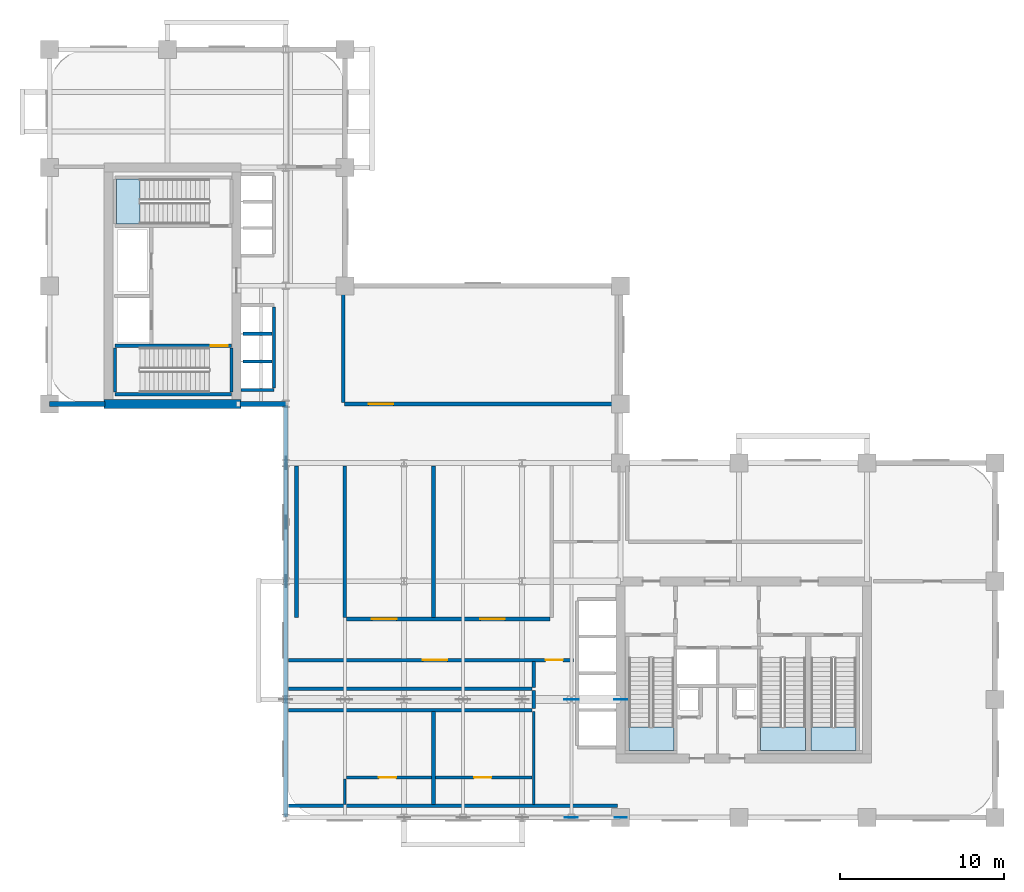
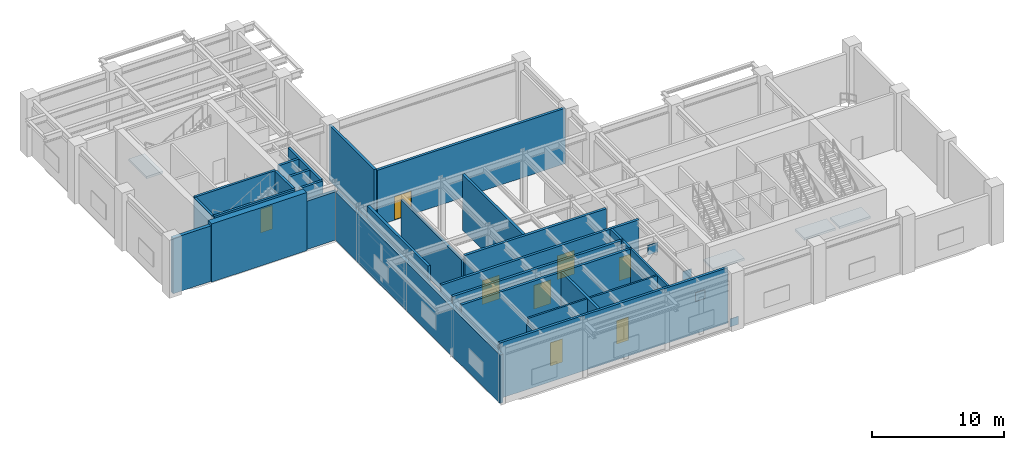
# One storey, part 6 of 12: 28 walls, 8 doors, 4 plates, 4 slabs, 8 openings, 4 elements without a shape of their own.
"""IFC4 building model written with IfcOpenShell, lengths in metres."""

import ifcopenshell
import ifcopenshell.guid

model = None  # the IFC model being written
_history = None  # IfcOwnerHistory: only IFC2X3 demands one
_inside = {}  # id of a spatial element -> (the spatial element, [elements in it])
_under = {}  # id of a project, library or spatial element -> (it, [spatial elements below it])
_declared = {}  # id of a project -> (the project, [libraries it declares])
_typed = {}  # id of a type object -> (the type object, [elements of that type])
_made_of = {}  # id of a material, layer set ... -> (it, [elements and type objects made of it])


def new_model(schema):
    """Start an empty IFC model of exactly this schema.

    Asked for "IFC4X3", IfcOpenShell would pick the latest addendum, in which some entities
    have other attributes; the version numbers below select the first issue.
    IFC2X3 requires an IfcOwnerHistory on every rooted entity: one is made here for all.
    """
    global model, _history
    if schema == "IFC4X3":
        model = ifcopenshell.file(schema_version=(4, 3, 0, 0))
    else:
        model = ifcopenshell.file(schema=schema)
    _inside.clear()
    _under.clear()
    _declared.clear()
    _typed.clear()
    _made_of.clear()
    _history = None
    if model.schema == "IFC2X3":
        org = make("IfcOrganization", Name="unknown")
        user = make(
            "IfcPersonAndOrganization",
            ThePerson=make("IfcPerson", FamilyName="unknown"),
            TheOrganization=org,
        )
        app = make(
            "IfcApplication",
            ApplicationDeveloper=org,
            Version="unknown",
            ApplicationFullName="unknown",
            ApplicationIdentifier="unknown",
        )
        _history = make(
            "IfcOwnerHistory",
            OwningUser=user,
            OwningApplication=app,
            ChangeAction="ADDED",
            CreationDate=0,
        )
    return model


def make(cls, **values):
    """One entity of the class cls with the attributes given. An attribute that is None is left unset."""
    return model.create_entity(
        cls, **{name: value for name, value in values.items() if value is not None}
    )


def rooted(cls, **values):
    """An entity with a GlobalId (a new one), such as an element, a storey or a relation."""
    return make(cls, GlobalId=ifcopenshell.guid.new(), OwnerHistory=_history, **values)


def si_unit(unit_type, name, prefix=None):
    """IfcSIUnit, for example si_unit("LENGTHUNIT", "METRE", prefix="MILLI")."""
    return make("IfcSIUnit", UnitType=unit_type, Prefix=prefix, Name=name)


def derived_unit(unit_type, elements):
    """IfcDerivedUnit: a product of units, each with its exponent."""
    return make(
        "IfcDerivedUnit",
        Elements=[
            make("IfcDerivedUnitElement", Unit=unit, Exponent=power)
            for unit, power in elements
        ],
        UnitType=unit_type,
    )


def assignment(units):
    """IfcUnitAssignment: the units of a project."""
    return None if units is None else make("IfcUnitAssignment", Units=units)


def point(xyz):
    """IfcCartesianPoint."""
    return None if xyz is None else make("IfcCartesianPoint", Coordinates=xyz)


def direction(xyz):
    """IfcDirection."""
    return None if xyz is None else make("IfcDirection", DirectionRatios=xyz)


def frame(location, z_axis=None, x_axis=None):
    """IfcAxis2Placement3D, a coordinate frame: its origin and axes. An axis left out is left unset."""
    return make(
        "IfcAxis2Placement3D",
        Location=point(location),
        Axis=direction(z_axis),
        RefDirection=direction(x_axis),
    )


def frame_2d(location, x_axis=None):
    """IfcAxis2Placement2D, a coordinate frame in the plane: its origin and x axis."""
    return make(
        "IfcAxis2Placement2D", Location=point(location), RefDirection=direction(x_axis)
    )


def origin():
    """The frame at (0, 0, 0) with its axes left unset."""
    return frame((0.0, 0.0, 0.0))


def origin_2d():
    """The frame at (0, 0) in the plane with its x axis left unset."""
    return frame_2d((0.0, 0.0))


def place(relative_to, where):
    """IfcLocalPlacement: puts the frame where relative to a parent placement (None: the world)."""
    return make(
        "IfcLocalPlacement", PlacementRelTo=relative_to, RelativePlacement=where
    )


def context(
    kind, dimensions, precision=None, world=None, true_north=None, identifier=None
):
    """IfcGeometricRepresentationContext, for example the 3D "Model" context."""
    return make(
        "IfcGeometricRepresentationContext",
        ContextIdentifier=identifier,
        ContextType=kind,
        CoordinateSpaceDimension=dimensions,
        Precision=precision,
        WorldCoordinateSystem=world,
        TrueNorth=true_north,
    )


def subcontext(parent, identifier, kind, view, scale=None):
    """IfcGeometricRepresentationSubContext, for example "Body" below "Model"."""
    return make(
        "IfcGeometricRepresentationSubContext",
        ContextIdentifier=identifier,
        ContextType=kind,
        ParentContext=parent,
        TargetScale=scale,
        TargetView=view,
    )


def project(units=None, contexts=None):
    """IfcProject with its units and contexts."""
    return rooted(
        "IfcProject",
        Name="project",
        RepresentationContexts=contexts,
        UnitsInContext=assignment(units),
    )


def spatial(cls, under=None, at=None, **own):
    """A site, building, storey or space (cls), placed at a placement, below another one or the project."""
    s = rooted(cls, ObjectPlacement=at, **own)
    if under is not None:
        _under.setdefault(under.id(), (under, []))[1].append(s)
    return s


def polyline(points):
    """IfcPolyline through the points."""
    return make("IfcPolyline", Points=[point(p) for p in points])


def profile(cls, at=None, kind="AREA", **sizes):
    """A parametric profile (cls). Its sizes go by their IFC names, for example OverallWidth=200.0."""
    return make(cls, ProfileType=kind, Position=at, **sizes)


def rectangle(**sizes):
    """IfcRectangleProfileDef."""
    return profile("IfcRectangleProfileDef", **sizes)


def outline(outer, holes=None, kind="AREA"):
    """IfcArbitraryClosedProfileDef: a profile drawn as a closed curve; with holes, ...WithVoids."""
    if holes is None:
        return make("IfcArbitraryClosedProfileDef", ProfileType=kind, OuterCurve=outer)
    return make(
        "IfcArbitraryProfileDefWithVoids",
        ProfileType=kind,
        OuterCurve=outer,
        InnerCurves=holes,
    )


def extrude(swept, where, along, depth):
    """IfcExtrudedAreaSolid: the profile swept, set in the frame where, extruded along a direction by depth."""
    return make(
        "IfcExtrudedAreaSolid",
        SweptArea=swept,
        Position=where,
        ExtrudedDirection=direction(along),
        Depth=depth,
    )


def shape(context_of_items, identifier, shape_type, items):
    """IfcShapeRepresentation: the items that make up one representation, for example the "Body"."""
    return make(
        "IfcShapeRepresentation",
        ContextOfItems=context_of_items,
        RepresentationIdentifier=identifier,
        RepresentationType=shape_type,
        Items=items,
    )


def source(mapping_origin, context_of_items, identifier, shape_type, items):
    """IfcRepresentationMap: a shape defined once, which mapped items show again and again."""
    return make(
        "IfcRepresentationMap",
        MappingOrigin=mapping_origin,
        MappedRepresentation=shape(context_of_items, identifier, shape_type, items),
    )


def transform(
    local_origin,
    x_axis=None,
    y_axis=None,
    z_axis=None,
    scale=None,
    scale2=None,
    scale3=None,
    uniform=True,
):
    """IfcCartesianTransformationOperator3D, or its non-uniform kind. x_axis, y_axis, z_axis: its Axis1, 2, 3."""
    if uniform:
        return make(
            "IfcCartesianTransformationOperator3D",
            Axis1=direction(x_axis),
            Axis2=direction(y_axis),
            LocalOrigin=point(local_origin),
            Scale=scale,
            Axis3=direction(z_axis),
        )
    return make(
        "IfcCartesianTransformationOperator3DnonUniform",
        Axis1=direction(x_axis),
        Axis2=direction(y_axis),
        LocalOrigin=point(local_origin),
        Scale=scale,
        Axis3=direction(z_axis),
        Scale2=scale2,
        Scale3=scale3,
    )


def mapped(mapping_source, mapping_target):
    """IfcMappedItem: shows the shape of a source again, moved by a transform."""
    return make(
        "IfcMappedItem", MappingSource=mapping_source, MappingTarget=mapping_target
    )


def material(Name=None, Category=None):
    """IfcMaterial."""
    return make("IfcMaterial", Name=Name, Category=Category)


def layer(
    of_material, thickness, ventilated=None, Name=None, Category=None, Priority=None
):
    """IfcMaterialLayer: one layer of a wall or slab, of a material (None: an air gap)."""
    return make(
        "IfcMaterialLayer",
        Material=of_material,
        LayerThickness=thickness,
        IsVentilated=ventilated,
        Name=Name,
        Category=Category,
        Priority=Priority,
    )


def layer_set(layers, Name=None):
    """IfcMaterialLayerSet."""
    return make("IfcMaterialLayerSet", MaterialLayers=layers, LayerSetName=Name)


def made_of(thing, what):
    """Note that an element or type object is made of a material, layer set ...; save() writes the relation."""
    if what is not None:
        _made_of.setdefault(what.id(), (what, []))[1].append(thing)
    return thing


def type_object(cls, material=None, **own):
    """A type object (cls), such as IfcWallType, which elements share."""
    return made_of(rooted(cls, **own), material)


def type_shapes(of_type, sources):
    """Give a type object the sources (RepresentationMaps) that its elements show as mapped items."""
    of_type.RepresentationMaps = sources


def element(
    cls,
    number,
    at=None,
    inside=None,
    cuts=None,
    type_object=None,
    material=None,
    context=None,
    identifier="Body",
    shape_type=None,
    held_by="IfcProductDefinitionShape",
    body=None,
    shapes=None,
    **own,
):
    """One element of the class cls, such as IfcWall. Its Tag is "e" and its number.

    at: its placement. inside: the storey or other place that contains it. cuts: it is an
    opening in that element (IfcRelVoidsElement). A single representation is given by context,
    identifier, shape_type and body (its items); several are given by shapes. held_by: the class
    of the entity that holds the representations. save() writes the other relations.
    """
    e = rooted(cls, Tag="e%d" % number, ObjectPlacement=at, **own)
    if body is not None:
        shapes = [shape(context, identifier, shape_type, body)]
    if shapes is not None:
        e.Representation = make(held_by, Representations=shapes)
    if inside is not None:
        _inside.setdefault(inside.id(), (inside, []))[1].append(e)
    if cuts is not None:
        rooted(
            "IfcRelVoidsElement", RelatingBuildingElement=cuts, RelatedOpeningElement=e
        )
    if type_object is not None:
        _typed.setdefault(type_object.id(), (type_object, []))[1].append(e)
    return made_of(e, material)


def fill(opening, filler):
    """IfcRelFillsElement: the door or window that sits in an opening."""
    return rooted(
        "IfcRelFillsElement",
        RelatingOpeningElement=opening,
        RelatedBuildingElement=filler,
    )


def aggregate(whole, parts):
    """IfcRelAggregates: a whole, such as a stair, and the parts it consists of."""
    return rooted("IfcRelAggregates", RelatingObject=whole, RelatedObjects=parts)


def save(model, path):
    """Write the relations noted so far, then the file.

    IfcRelAggregates (storeys below a building ...), IfcRelContainedInSpatialStructure (elements
    in a storey), IfcRelDefinesByType, IfcRelAssociatesMaterial and IfcRelDeclares: one each for
    every whole, place, type object, material and project.
    """
    for whole, parts in _under.values():
        aggregate(whole, parts)
    for where, things in _inside.values():
        rooted(
            "IfcRelContainedInSpatialStructure",
            RelatedElements=things,
            RelatingStructure=where,
        )
    for kind, things in _typed.values():
        rooted("IfcRelDefinesByType", RelatedObjects=things, RelatingType=kind)
    for what, things in _made_of.values():
        rooted("IfcRelAssociatesMaterial", RelatedObjects=things, RelatingMaterial=what)
    for by, libraries in _declared.values():
        rooted("IfcRelDeclares", RelatingContext=by, RelatedDefinitions=libraries)
    model.write(path)


model = new_model("IFC4")

# Units and contexts
model_context = context("Model", 3, precision=1e-05, world=origin(), true_north=direction((0.0, 1.0)))
body_context = subcontext(model_context, "Body", "Model", "MODEL_VIEW")
ifc_project = project(units=[si_unit("LENGTHUNIT", "METRE"), si_unit("AREAUNIT", "SQUARE_METRE"), si_unit("VOLUMEUNIT", "CUBIC_METRE"), si_unit("PLANEANGLEUNIT", "RADIAN"), si_unit("MASSUNIT", "GRAM", prefix="KILO"), si_unit("THERMODYNAMICTEMPERATUREUNIT", "KELVIN"), si_unit("POWERUNIT", "WATT"), derived_unit("THERMALTRANSMITTANCEUNIT", [(si_unit("POWERUNIT", "WATT"), 1), (si_unit("AREAUNIT", "SQUARE_METRE"), -1), (si_unit("THERMODYNAMICTEMPERATUREUNIT", "KELVIN"), -1)])], contexts=[model_context])

# Site, building, storey
site_placement = place(None, origin())
site = spatial("IfcSite", under=ifc_project, at=site_placement, CompositionType="ELEMENT")
building_placement = place(site_placement, origin())
building = spatial("IfcBuilding", under=site, at=building_placement, Name="Zahravan Archway Hotel and Residences", CompositionType="ELEMENT")
storey_placement = place(building_placement, frame((0.0, 0.0, 106.39990234375)))
storey = spatial("IfcBuildingStorey", under=building, at=storey_placement, Name="L26", CompositionType="ELEMENT", Elevation=106.39990234375)

# Stair, slab
ifc_material_1 = material(Name="Concrete C50/60", Category="concrete")
stair_type = type_object("IfcStairType", Name="STR-CORE-1300", PredefinedType="HALF_TURN_STAIR", material=ifc_material_1)
stair_1_placement = place(storey_placement, origin())
stair_1 = element("IfcStair", 1, at=stair_1_placement, inside=storey, type_object=stair_type, Name="L26 Core A Exit Stair 1", PredefinedType="HALF_TURN_STAIR")
ifc_layer_1 = layer(ifc_material_1, 0.199951171875, Name="Concrete C50/60", Category="concrete")
ifc_layer_set_1 = layer_set([ifc_layer_1], Name="Concrete C50/60")
slab_type = type_object("IfcSlabType", Name="SLB-LND-200", PredefinedType="LANDING", material=ifc_layer_set_1)
slab_1_placement = place(storey_placement, frame((0.0, 0.0, 2.5)))
slab_1 = element("IfcSlab", 2, at=slab_1_placement, type_object=slab_type, Name="ST-A1 landing 1", PredefinedType="LANDING", context=body_context, shape_type="SweptSolid", body=[
    extrude(outline(polyline([(35.300048828125, 5.530029296875), (35.300048828125, 4.10009765625), (38.0400390625, 4.10009765625), (38.0400390625, 5.530029296875), (35.300048828125, 5.530029296875)])), origin(), (0.0, 0.0, 1.0), 0.2001953125),
])
aggregate(stair_1, [slab_1])

stair_2_placement = place(storey_placement, origin())
stair_2 = element("IfcStair", 3, at=stair_2_placement, inside=storey, type_object=stair_type, Name="L26 Core A Exit Stair 2", PredefinedType="HALF_TURN_STAIR")
slab_2_placement = place(storey_placement, frame((0.0, 0.0, 2.5)))
slab_2 = element("IfcSlab", 4, at=slab_2_placement, type_object=slab_type, Name="ST-A2 landing 1", PredefinedType="LANDING", context=body_context, shape_type="SweptSolid", body=[
    extrude(outline(polyline([(43.320068359375, 5.530029296875), (43.320068359375, 4.10009765625), (46.06005859375, 4.10009765625), (46.06005859375, 5.530029296875), (43.320068359375, 5.530029296875)])), origin(), (0.0, 0.0, 1.0), 0.2001953125),
])
aggregate(stair_2, [slab_2])

stair_3_placement = place(storey_placement, origin())
stair_3 = element("IfcStair", 5, at=stair_3_placement, inside=storey, type_object=stair_type, Name="L26 Core A Exit Stair 3", PredefinedType="HALF_TURN_STAIR")
slab_3_placement = place(storey_placement, frame((0.0, 0.0, 2.5)))
slab_3 = element("IfcSlab", 6, at=slab_3_placement, type_object=slab_type, Name="ST-A3 landing 1", PredefinedType="LANDING", context=body_context, shape_type="SweptSolid", body=[
    extrude(outline(polyline([(46.39990234375, 5.530029296875), (46.39990234375, 4.10009765625), (49.139892578125, 4.10009765625), (49.139892578125, 5.530029296875), (46.39990234375, 5.530029296875)])), origin(), (0.0, 0.0, 1.0), 0.2001953125),
])
aggregate(stair_3, [slab_3])

stair_4_placement = place(storey_placement, origin())
stair_4 = element("IfcStair", 7, at=stair_4_placement, inside=storey, type_object=stair_type, Name="L26 Core B Exit Stair 2", PredefinedType="HALF_TURN_STAIR")
slab_4_placement = place(storey_placement, frame((0.0, 0.0, 2.5)))
slab_4 = element("IfcSlab", 8, at=slab_4_placement, type_object=slab_type, Name="ST-B2 landing 1", PredefinedType="LANDING", context=body_context, shape_type="SweptSolid", body=[
    extrude(outline(polyline([(5.530029296875, 38.89990234375), (4.10009765625, 38.89990234375), (4.10009765625, 36.159912109375), (5.530029296875, 36.159912109375), (5.530029296875, 38.89990234375)])), origin(), (0.0, 0.0, 1.0), 0.2001953125),
])
aggregate(stair_4, [slab_4])

# Plates
ifc_material_2 = material(Name="Structural Steel S355J2", Category="steel")
ifc_layer_2 = layer(ifc_material_2, 0.035888671875, Name="Structural Steel S355J2", Category="steel")
ifc_layer_set_2 = layer_set([ifc_layer_2], Name="Structural Steel S355J2")
plate_type_1 = type_object("IfcPlateType", Name="PLT-GUS-ON2", PredefinedType="USERDEFINED", material=ifc_layer_set_2)
shared_shape_1 = source(origin(), body_context, "Body", "SweptSolid", [
    extrude(rectangle(XDim=0.800048828125, YDim=0.035888671875, at=origin_2d()), origin(), (0.0, 0.0, 1.0), 0.800048828125),
])
type_shapes(plate_type_1, [shared_shape_1])
plate_1_placement = place(storey_placement, frame((34.800048828125, 7.199951171875, 0.05029296875), z_axis=(0.0, 0.0, 1.0), x_axis=(1.0, 0.0, 0.0)))
element("IfcPlate", 9, at=plate_1_placement, inside=storey, type_object=plate_type_1, Name="L26 Outrigger End Gusset Plate ON2-3-R", ObjectType="GUSSET", PredefinedType="USERDEFINED", context=body_context, shape_type="MappedRepresentation", body=[
    mapped(shared_shape_1, transform((0.0, 0.0, 0.0), scale=1.0)),
])
ifc_layer_3 = layer(ifc_material_2, 0.035888671875, Name="Structural Steel S355J2", Category="steel")
ifc_layer_set_3 = layer_set([ifc_layer_3], Name="Structural Steel S355J2")
plate_type_2 = type_object("IfcPlateType", Name="PLT-GUS-ON1", PredefinedType="USERDEFINED", material=ifc_layer_set_3)
shared_shape_2 = source(origin(), body_context, "Body", "SweptSolid", [
    extrude(rectangle(XDim=0.89990234375, YDim=0.035888671875, at=origin_2d()), origin(), (0.0, 0.0, 1.0), 0.89990234375),
])
type_shapes(plate_type_2, [shared_shape_2])
plate_2_placement = place(storey_placement, frame((31.800048828125, 7.199951171875, 3.4501953125), z_axis=(0.0, 0.0, 1.0), x_axis=(1.0, 0.0, 0.0)))
element("IfcPlate", 10, at=plate_2_placement, inside=storey, type_object=plate_type_2, Name="L26 Outrigger Apex Gusset Plate ON1-3", ObjectType="GUSSET", PredefinedType="USERDEFINED", context=body_context, shape_type="MappedRepresentation", body=[
    mapped(shared_shape_2, transform((0.0, 0.0, 0.0), scale=1.0)),
])
ifc_layer_4 = layer(ifc_material_2, 0.031982421875, Name="Structural Steel S355J2", Category="steel")
ifc_layer_set_4 = layer_set([ifc_layer_4], Name="Structural Steel S355J2")
plate_type_3 = type_object("IfcPlateType", Name="PLT-GUS-BN1", PredefinedType="USERDEFINED", material=ifc_layer_set_4)
shared_shape_3 = source(origin(), body_context, "Body", "SweptSolid", [
    extrude(rectangle(XDim=0.800048828125, YDim=0.031982421875, at=origin_2d()), origin(), (0.0, 0.0, 1.0), 0.800048828125),
])
type_shapes(plate_type_3, [shared_shape_3])
plate_3_placement = place(storey_placement, frame((31.800048828125, 0.0, 3.5), z_axis=(0.0, 0.0, 1.0), x_axis=(1.0, 0.0, 0.0)))
element("IfcPlate", 11, at=plate_3_placement, inside=storey, type_object=plate_type_3, Name="L26 Belt Truss Gusset Plate BN1-2", ObjectType="GUSSET", PredefinedType="USERDEFINED", context=body_context, shape_type="MappedRepresentation", body=[
    mapped(shared_shape_3, transform((0.0, 0.0, 0.0), scale=1.0)),
])
ifc_layer_5 = layer(ifc_material_2, 0.031982421875, Name="Structural Steel S355J2", Category="steel")
ifc_layer_set_5 = layer_set([ifc_layer_5], Name="Structural Steel S355J2")
plate_type_4 = type_object("IfcPlateType", Name="PLT-GUS-BN2", PredefinedType="USERDEFINED", material=ifc_layer_set_5)
shared_shape_4 = source(origin(), body_context, "Body", "SweptSolid", [
    extrude(rectangle(XDim=0.75, YDim=0.031982421875, at=origin_2d()), origin(), (0.0, 0.0, 1.0), 0.75),
])
type_shapes(plate_type_4, [shared_shape_4])
plate_4_placement = place(storey_placement, frame((34.800048828125, 0.0, 0.0751953125), z_axis=(0.0, 0.0, 1.0), x_axis=(1.0, 0.0, 0.0)))
element("IfcPlate", 12, at=plate_4_placement, inside=storey, type_object=plate_type_4, Name="L26 Belt Truss End Gusset Plate BN2-2-B", ObjectType="GUSSET", PredefinedType="USERDEFINED", context=body_context, shape_type="MappedRepresentation", body=[
    mapped(shared_shape_4, transform((0.0, 0.0, 0.0), scale=1.0)),
])

# Walls
ifc_material_3 = material(Name="Concrete C70/85", Category="concrete")
ifc_layer_6 = layer(ifc_material_3, 0.550048828125, Name="Concrete C70/85", Category="concrete")
ifc_layer_set_6 = layer_set([ifc_layer_6], Name="Concrete C70/85")
wall_type_1 = type_object("IfcWallType", Name="CW-CORE-550", PredefinedType="SHEAR", material=ifc_layer_set_6)
wall_1_placement = place(storey_placement, frame((3.324951171875, 25.199951171875, 0.0), z_axis=(0.0, 0.0, 1.0), x_axis=(1.0, 0.0, 0.0)))
element("IfcWall", 13, at=wall_1_placement, inside=storey, type_object=wall_type_1, Name="L26 Core B Shear S Wall 550 mm", PredefinedType="SHEAR", context=body_context, shape_type="SweptSolid", body=[
    extrude(rectangle(XDim=8.35009765625, YDim=0.550048828125, at=frame_2d((4.175048828125, 0.0))), origin(), (0.0, 0.0, 1.0), 5.400146484375),
])
ifc_material_4 = material(Name="Acoustic Louvred Sandstone Backup Wall", Category="masonry")
ifc_layer_7 = layer(ifc_material_4, 0.300048828125, Name="Acoustic Louvred Sandstone Backup Wall", Category="masonry")
ifc_layer_set_7 = layer_set([ifc_layer_7], Name="Acoustic Louvred Sandstone Backup Wall")
wall_type_2 = type_object("IfcWallType", Name="EW-REF-300", PredefinedType="SOLIDWALL", material=ifc_layer_set_7)
wall_2_placement = place(storey_placement, frame((14.39990234375, 0.050048828125, 0.0), z_axis=(0.0, 0.0, 1.0), x_axis=(0.0, 1.0, 0.0)))
element("IfcWall", 14, at=wall_2_placement, inside=storey, type_object=wall_type_2, Name="L26 Exterior Sandstone Wall WA-WL", PredefinedType="SOLIDWALL", context=body_context, shape_type="SweptSolid", body=[
    extrude(rectangle(XDim=25.099853515625, YDim=0.300048828125, at=frame_2d((12.5498046875, 0.0))), origin(), (0.0, 0.0, 1.0), 4.485107421875),
])
wall_3_placement = place(storey_placement, frame((11.6201171875, 25.199951171875, 0.0), z_axis=(0.0, 0.0, 1.0), x_axis=(1.0, 0.0, 0.0)))
element("IfcWall", 15, at=wall_3_placement, inside=storey, type_object=wall_type_2, Name="L26 Exterior Sandstone Wall WB-SE", PredefinedType="SOLIDWALL", context=body_context, shape_type="SweptSolid", body=[
    extrude(rectangle(XDim=2.77978515625, YDim=0.300048828125, at=frame_2d((1.389892578125, 0.0))), origin(), (0.0, 0.0, 1.0), 4.485107421875),
])
wall_4_placement = place(storey_placement, frame((0.0, 25.199951171875, 0.0), z_axis=(0.0, 0.0, 1.0), x_axis=(1.0, 0.0, 0.0)))
element("IfcWall", 16, at=wall_4_placement, inside=storey, type_object=wall_type_2, Name="L26 Exterior Sandstone Wall WB-SW", PredefinedType="SOLIDWALL", context=body_context, shape_type="SweptSolid", body=[
    extrude(rectangle(XDim=3.3798828125, YDim=0.300048828125, at=frame_2d((1.68994140625, 0.0))), origin(), (0.0, 0.0, 1.0), 5.150146484375),
])
ifc_material_5 = material(Name="Fire-Rated Gypsum & Concrete Block", Category="concrete")
ifc_layer_8 = layer(ifc_material_5, 0.219970703125, Name="Fire-Rated Gypsum & Concrete Block", Category="concrete")
ifc_layer_set_8 = layer_set([ifc_layer_8], Name="Fire-Rated Gypsum & Concrete Block")
wall_type_3 = type_object("IfcWallType", Name="PW-COMP-220", PredefinedType="PARTITIONING", material=ifc_layer_set_8)
for number, where, z_axis, x_axis, name in (
    (17, (14.55810546875, 6.550048828125, 0.0), (0.0, 0.0, 1.0), (1.0, 0.0, 0.0), "L26 Partition L26-ROTS"),
    (18, (14.55810546875, 7.85009765625, 0.0), (0.0, 0.0, 1.0), (1.0, 0.0, 0.0), "L26 Partition L26-ROTN"),
):
    element("IfcWall", number, at=place(storey_placement, frame(where, z_axis=z_axis, x_axis=x_axis)), inside=storey, type_object=wall_type_3, Name=name, PredefinedType="PARTITIONING", context=body_context, shape_type="SweptSolid", body=[
        extrude(rectangle(XDim=14.851806640625, YDim=0.219970703125, at=frame_2d((7.42578125, 0.0))), origin(), (0.0, 0.0, 1.0), 5.150146484375),
    ])
wall_5_placement = place(storey_placement, frame((29.5, 6.639892578125, 0.0), z_axis=(0.0, 0.0, 1.0), x_axis=(0.0, 1.0, 0.0)))
element("IfcWall", 19, at=wall_5_placement, inside=storey, type_object=wall_type_3, Name="L26 Partition L26-ROTE", PredefinedType="PARTITIONING", context=body_context, shape_type="SweptSolid", body=[
    extrude(rectangle(XDim=1.1201171875, YDim=0.219970703125, at=frame_2d((0.56005859375, 0.0))), origin(), (0.0, 0.0, 1.0), 5.150146484375),
])
wall_6_placement = place(storey_placement, frame((15.050048828125, 12.18994140625, 0.0), z_axis=(0.0, 0.0, 1.0), x_axis=(0.0, 1.0, 0.0)))
element("IfcWall", 20, at=wall_6_placement, inside=storey, type_object=wall_type_3, Name="L26 Partition L26-RBTW", PredefinedType="PARTITIONING", context=body_context, shape_type="SweptSolid", body=[
    extrude(rectangle(XDim=9.219970703125, YDim=0.219970703125, at=frame_2d((4.60986328125, 0.0))), origin(), (0.0, 0.0, 1.0), 5.150146484375),
])

# Wall, openings, doors
wall_7_placement = place(storey_placement, frame((14.55810546875, 9.60009765625, 0.0), z_axis=(0.0, 0.0, 1.0), x_axis=(1.0, 0.0, 0.0)))
wall_7 = element("IfcWall", 21, at=wall_7_placement, inside=storey, type_object=wall_type_3, Name="L26 Partition L26-RCS", PredefinedType="PARTITIONING", context=body_context, shape_type="SweptSolid", body=[
    extrude(rectangle(XDim=17.371826171875, YDim=0.219970703125, at=frame_2d((8.68603515625, 0.0))), origin(), (0.0, 0.0, 1.0), 5.150146484375),
])
opening_1_placement = place(wall_7_placement, frame((15.6669921875, 0.0, 0.0)))
opening_1 = element("IfcOpeningElement", 22, at=opening_1_placement, cuts=wall_7, Name="Opening FD-L2", PredefinedType="OPENING", context=body_context, shape_type="SweptSolid", body=[
    extrude(rectangle(XDim=1.050048828125, YDim=2.14990234375, at=frame_2d((0.52490234375, 1.074951171875))), frame((0.0, 0.1201171875, 0.0), z_axis=(0.0, -1.0, 0.0), x_axis=(1.0, 0.0, 0.0)), (0.0, 0.0, 1.0), 0.239990234375),
])
opening_2_placement = place(wall_7_placement, frame((8.19189453125, 0.0, 0.0)))
opening_2 = element("IfcOpeningElement", 23, at=opening_2_placement, cuts=wall_7, Name="Opening FD-L1", PredefinedType="OPENING", context=body_context, shape_type="SweptSolid", body=[
    extrude(rectangle(XDim=1.5, YDim=2.199951171875, at=frame_2d((0.75, 1.10009765625))), frame((0.0, 0.1201171875, 0.0), z_axis=(0.0, -1.0, 0.0), x_axis=(1.0, 0.0, 0.0)), (0.0, 0.0, 1.0), 0.239990234375),
])
ifc_material_6 = material(Name="Fire-Rated Painted Steel", Category="steel")
door_type_1 = type_object("IfcDoorType", Name="FD-LOBBY-1100", OperationType="NOTDEFINED", PredefinedType="DOOR", material=ifc_material_6)
shared_shape_5 = source(origin(), body_context, "Body", "SweptSolid", [
    extrude(rectangle(XDim=1.050048828125, YDim=2.14990234375, at=frame_2d((0.52490234375, 1.074951171875))), frame((0.0, 0.02490234375, 0.0), z_axis=(0.0, -1.0, 0.0), x_axis=(1.0, 0.0, 0.0)), (0.0, 0.0, 1.0), 0.050048828125),
])
type_shapes(door_type_1, [shared_shape_5])
door_1_placement = place(opening_1_placement, origin())
door_1 = element("IfcDoor", 24, at=door_1_placement, inside=storey, type_object=door_type_1, Name="L26 South Riser Passage to Refuge Lobby Door", OperationType="SINGLE_SWING_LEFT", OverallHeight=2.14990234375, OverallWidth=1.050048828125, PredefinedType="DOOR", context=body_context, shape_type="MappedRepresentation", body=[
    mapped(shared_shape_5, transform((0.0, 0.0, 0.0), scale=1.0)),
])
fill(opening_1, door_1)
door_type_2 = type_object("IfcDoorType", Name="FD-LOBBY-1500", OperationType="DOUBLE_DOOR_SINGLE_SWING", PredefinedType="DOOR", material=ifc_material_6)
shared_shape_6 = source(origin(), body_context, "Body", "SweptSolid", [
    extrude(rectangle(XDim=1.5, YDim=2.199951171875, at=frame_2d((0.75, 1.10009765625))), frame((0.0, 0.02490234375, 0.0), z_axis=(0.0, -1.0, 0.0), x_axis=(1.0, 0.0, 0.0)), (0.0, 0.0, 1.0), 0.050048828125),
])
type_shapes(door_type_2, [shared_shape_6])
door_2_placement = place(opening_2_placement, origin())
door_2 = element("IfcDoor", 25, at=door_2_placement, inside=storey, type_object=door_type_2, Name="L26 AHU Mechanical Plant Door", OperationType="DOUBLE_DOOR_SINGLE_SWING", OverallHeight=2.199951171875, OverallWidth=1.5, PredefinedType="DOOR", context=body_context, shape_type="MappedRepresentation", body=[
    mapped(shared_shape_6, transform((0.0, 0.0, 0.0), scale=1.0)),
])
fill(opening_2, door_2)

wall_8_placement = place(storey_placement, frame((18.090087890625, 12.10009765625, 0.0), z_axis=(0.0, 0.0, 1.0), x_axis=(1.0, 0.0, 0.0)))
wall_8 = element("IfcWall", 26, at=wall_8_placement, inside=storey, type_object=wall_type_3, Name="L26 Partition L26-RCN", PredefinedType="PARTITIONING", context=body_context, shape_type="SweptSolid", body=[
    extrude(rectangle(XDim=12.419921875, YDim=0.219970703125, at=frame_2d((6.2099609375, 0.0))), origin(), (0.0, 0.0, 1.0), 5.150146484375),
])
opening_3_placement = place(wall_8_placement, frame((1.56005859375, 0.0, 0.0)))
opening_3 = element("IfcOpeningElement", 27, at=opening_3_placement, cuts=wall_8, Name="Opening FD-L1", PredefinedType="OPENING", context=body_context, shape_type="SweptSolid", body=[
    extrude(rectangle(XDim=1.5, YDim=2.199951171875, at=frame_2d((0.75, 1.10009765625))), frame((0.0, 0.1201171875, 0.0), z_axis=(0.0, -1.0, 0.0), x_axis=(1.0, 0.0, 0.0)), (0.0, 0.0, 1.0), 0.239990234375),
])
opening_4_placement = place(wall_8_placement, frame((8.159912109375, 0.0, 0.0)))
opening_4 = element("IfcOpeningElement", 28, at=opening_4_placement, cuts=wall_8, Name="Opening FD-L1", PredefinedType="OPENING", context=body_context, shape_type="SweptSolid", body=[
    extrude(rectangle(XDim=1.5, YDim=2.199951171875, at=frame_2d((0.75, 1.10009765625))), frame((0.0, 0.1201171875, 0.0), z_axis=(0.0, -1.0, 0.0), x_axis=(1.0, 0.0, 0.0)), (0.0, 0.0, 1.0), 0.239990234375),
])
door_3_placement = place(opening_3_placement, origin())
door_3 = element("IfcDoor", 29, at=door_3_placement, inside=storey, type_object=door_type_2, Name="L26 West Protected Refuge Door", OperationType="DOUBLE_DOOR_SINGLE_SWING", OverallHeight=2.199951171875, OverallWidth=1.5, PredefinedType="DOOR", context=body_context, shape_type="MappedRepresentation", body=[
    mapped(shared_shape_6, transform((0.0, 0.0, 0.0), scale=1.0)),
])
fill(opening_3, door_3)
door_4_placement = place(opening_4_placement, origin())
door_4 = element("IfcDoor", 30, at=door_4_placement, inside=storey, type_object=door_type_2, Name="L26 East Protected Refuge Door", OperationType="DOUBLE_DOOR_SINGLE_SWING", OverallHeight=2.199951171875, OverallWidth=1.5, PredefinedType="DOOR", context=body_context, shape_type="MappedRepresentation", body=[
    mapped(shared_shape_6, transform((0.0, 0.0, 0.0), scale=1.0)),
])
fill(opening_4, door_4)

# Walls
wall_9_placement = place(storey_placement, frame((14.55810546875, 0.719970703125, 0.0), z_axis=(0.0, 0.0, 1.0), x_axis=(1.0, 0.0, 0.0)))
element("IfcWall", 31, at=wall_9_placement, inside=storey, type_object=wall_type_3, Name="L26 Partition L26-RPSB", PredefinedType="PARTITIONING", context=body_context, shape_type="SweptSolid", body=[
    extrude(rectangle(XDim=20.052001953125, YDim=0.219970703125, at=frame_2d((10.02587890625, 0.0))), origin(), (0.0, 0.0, 1.0), 5.150146484375),
])
wall_10_placement = place(storey_placement, frame((23.39990234375, 0.81005859375, 0.0), z_axis=(0.0, 0.0, 1.0), x_axis=(0.0, 1.0, 0.0)))
element("IfcWall", 32, at=wall_10_placement, inside=storey, type_object=wall_type_3, Name="L26 Partition L26-RPSV", PredefinedType="PARTITIONING", context=body_context, shape_type="SweptSolid", body=[
    extrude(rectangle(XDim=5.64990234375, YDim=0.219970703125, at=frame_2d((2.824951171875, 0.0))), origin(), (0.0, 0.0, 1.0), 5.150146484375),
])
wall_11_placement = place(storey_placement, frame((29.5, 7.93994140625, 0.0), z_axis=(0.0, 0.0, 1.0), x_axis=(0.0, 1.0, 0.0)))
element("IfcWall", 33, at=wall_11_placement, inside=storey, type_object=wall_type_3, Name="L26 Partition L26-RPNW", PredefinedType="PARTITIONING", context=body_context, shape_type="SweptSolid", body=[
    extrude(rectangle(XDim=1.570068359375, YDim=0.219970703125, at=frame_2d((0.78515625, 0.0))), origin(), (0.0, 0.0, 1.0), 5.150146484375),
])
wall_12_placement = place(storey_placement, frame((18.0, 12.18994140625, 0.0), z_axis=(0.0, 0.0, 1.0), x_axis=(0.0, 1.0, 0.0)))
element("IfcWall", 34, at=wall_12_placement, inside=storey, type_object=wall_type_3, Name="L26 Partition L26-RWW", PredefinedType="PARTITIONING", context=body_context, shape_type="SweptSolid", body=[
    extrude(rectangle(XDim=9.219970703125, YDim=0.219970703125, at=frame_2d((4.60986328125, 0.0))), origin(), (0.0, 0.0, 1.0), 4.68505859375),
])
wall_13_placement = place(storey_placement, frame((23.39990234375, 12.18994140625, 0.0), z_axis=(0.0, 0.0, 1.0), x_axis=(0.0, 1.0, 0.0)))
element("IfcWall", 35, at=wall_13_placement, inside=storey, type_object=wall_type_3, Name="L26 Partition L26-RWM", PredefinedType="PARTITIONING", context=body_context, shape_type="SweptSolid", body=[
    extrude(rectangle(XDim=9.219970703125, YDim=0.219970703125, at=frame_2d((4.60986328125, 0.0))), origin(), (0.0, 0.0, 1.0), 5.150146484375),
])

# Wall, opening, door
wall_14_placement = place(storey_placement, frame((17.989990234375, 25.199951171875, 0.0), z_axis=(0.0, 0.0, 1.0), x_axis=(1.0, 0.0, 0.0)))
wall_14 = element("IfcWall", 36, at=wall_14_placement, inside=storey, type_object=wall_type_3, Name="L26 Partition L26-RWBS", PredefinedType="PARTITIONING", context=body_context, shape_type="SweptSolid", body=[
    extrude(rectangle(XDim=16.469970703125, YDim=0.219970703125, at=frame_2d((8.23486328125, 0.0))), origin(), (0.0, 0.0, 1.0), 5.150146484375),
])
opening_5_placement = place(wall_14_placement, frame((1.4599609375, 0.0, 0.0)))
opening_5 = element("IfcOpeningElement", 37, at=opening_5_placement, cuts=wall_14, Name="Opening FD-L1", PredefinedType="OPENING", context=body_context, shape_type="SweptSolid", body=[
    extrude(rectangle(XDim=1.5, YDim=2.199951171875, at=frame_2d((0.75, 1.10009765625))), frame((0.0, 0.1201171875, 0.0), z_axis=(0.0, -1.0, 0.0), x_axis=(1.0, 0.0, 0.0)), (0.0, 0.0, 1.0), 0.239990234375),
])
door_5_placement = place(opening_5_placement, origin())
door_5 = element("IfcDoor", 38, at=door_5_placement, inside=storey, type_object=door_type_2, Name="L26 North Protected Refuge Door", OperationType="DOUBLE_DOOR_SINGLE_SWING", OverallHeight=2.199951171875, OverallWidth=1.5, PredefinedType="DOOR", context=body_context, shape_type="MappedRepresentation", body=[
    mapped(shared_shape_6, transform((0.0, 0.0, 0.0), scale=1.0)),
])
fill(opening_5, door_5)

# Walls
wall_15_placement = place(storey_placement, frame((17.89990234375, 25.2900390625, 0.0), z_axis=(0.0, 0.0, 1.0), x_axis=(0.0, 1.0, 0.0)))
element("IfcWall", 39, at=wall_15_placement, inside=storey, type_object=wall_type_3, Name="L26 Partition L26-RWBW", PredefinedType="PARTITIONING", context=body_context, shape_type="SweptSolid", body=[
    extrude(rectangle(XDim=6.869873046875, YDim=0.219970703125, at=frame_2d((3.43505859375, 0.0))), origin(), (0.0, 0.0, 1.0), 5.150146484375),
])
ifc_layer_9 = layer(ifc_material_5, 0.159912109375, Name="Fire-Rated Gypsum & Concrete Block", Category="concrete")
ifc_layer_set_9 = layer_set([ifc_layer_9], Name="Fire-Rated Gypsum & Concrete Block")
wall_type_4 = type_object("IfcWallType", Name="PW-CORR-160", PredefinedType="PARTITIONING", material=ifc_layer_set_9)
wall_16_placement = place(storey_placement, frame((29.5, 0.81005859375, 0.0), z_axis=(0.0, 0.0, 1.0), x_axis=(0.0, 1.0, 0.0)))
element("IfcWall", 40, at=wall_16_placement, inside=storey, type_object=wall_type_4, Name="L26 Partition L26-RSR", PredefinedType="PARTITIONING", context=body_context, shape_type="SweptSolid", body=[
    extrude(rectangle(XDim=5.64990234375, YDim=0.159912109375, at=frame_2d((2.824951171875, 0.0))), origin(), (0.0, 0.0, 1.0), 5.150146484375),
])

# Wall, openings, doors
wall_17_placement = place(storey_placement, frame((18.090087890625, 2.449951171875, 0.0), z_axis=(0.0, 0.0, 1.0), x_axis=(1.0, 0.0, 0.0)))
wall_17 = element("IfcWall", 41, at=wall_17_placement, inside=storey, type_object=wall_type_4, Name="L26 Partition L26-RSPN", PredefinedType="PARTITIONING", context=body_context, shape_type="SweptSolid", body=[
    extrude(rectangle(XDim=11.31982421875, YDim=0.159912109375, at=frame_2d((5.659912109375, 0.0))), origin(), (0.0, 0.0, 1.0), 5.150146484375),
])
opening_6_placement = place(wall_17_placement, frame((1.985107421875, 0.0, 0.0)))
opening_6 = element("IfcOpeningElement", 42, at=opening_6_placement, cuts=wall_17, Name="Opening FD-L2", PredefinedType="OPENING", context=body_context, shape_type="SweptSolid", body=[
    extrude(rectangle(XDim=1.050048828125, YDim=2.14990234375, at=frame_2d((0.52490234375, 1.074951171875))), frame((0.0, 0.08984375, 0.0), z_axis=(0.0, -1.0, 0.0), x_axis=(1.0, 0.0, 0.0)), (0.0, 0.0, 1.0), 0.179931640625),
])
opening_7_placement = place(wall_17_placement, frame((7.784912109375, 0.0, 0.0)))
opening_7 = element("IfcOpeningElement", 43, at=opening_7_placement, cuts=wall_17, Name="Opening FD-L2", PredefinedType="OPENING", context=body_context, shape_type="SweptSolid", body=[
    extrude(rectangle(XDim=1.050048828125, YDim=2.14990234375, at=frame_2d((0.52490234375, 1.074951171875))), frame((0.0, 0.08984375, 0.0), z_axis=(0.0, -1.0, 0.0), x_axis=(1.0, 0.0, 0.0)), (0.0, 0.0, 1.0), 0.179931640625),
])
door_6_placement = place(opening_6_placement, origin())
door_6 = element("IfcDoor", 44, at=door_6_placement, inside=storey, type_object=door_type_1, Name="L26 Chiller & Pump Plant Door", OperationType="SINGLE_SWING_RIGHT", OverallHeight=2.14990234375, OverallWidth=1.050048828125, PredefinedType="DOOR", context=body_context, shape_type="MappedRepresentation", body=[
    mapped(shared_shape_5, transform((0.0, 0.0, 0.0), scale=1.0)),
])
fill(opening_6, door_6)
door_7_placement = place(opening_7_placement, origin())
door_7 = element("IfcDoor", 45, at=door_7_placement, inside=storey, type_object=door_type_1, Name="L26 Switchgear & MEP Plant Door", OperationType="SINGLE_SWING_LEFT", OverallHeight=2.14990234375, OverallWidth=1.050048828125, PredefinedType="DOOR", context=body_context, shape_type="MappedRepresentation", body=[
    mapped(shared_shape_5, transform((0.0, 0.0, 0.0), scale=1.0)),
])
fill(opening_7, door_7)

# Walls
wall_18_placement = place(storey_placement, frame((18.0, 0.81005859375, 0.0), z_axis=(0.0, 0.0, 1.0), x_axis=(0.0, 1.0, 0.0)))
element("IfcWall", 46, at=wall_18_placement, inside=storey, type_object=wall_type_4, Name="L26 Partition L26-RSPW", PredefinedType="PARTITIONING", context=body_context, shape_type="SweptSolid", body=[
    extrude(rectangle(XDim=1.550048828125, YDim=0.159912109375, at=frame_2d((0.77490234375, 0.0))), origin(), (0.0, 0.0, 1.0), 4.68505859375),
])
ifc_layer_10 = layer(ifc_material_5, 0.199951171875, Name="Fire-Rated Gypsum & Concrete Block", Category="concrete")
ifc_layer_set_10 = layer_set([ifc_layer_10], Name="Fire-Rated Gypsum & Concrete Block")
wall_type_5 = type_object("IfcWallType", Name="PW-SHAFT-200", PredefinedType="PARTITIONING", material=ifc_layer_set_10)
wall_19_placement = place(storey_placement, frame((11.68505859375, 26.050048828125, 0.0), z_axis=(0.0, 0.0, 1.0), x_axis=(1.0, 0.0, 0.0)))
element("IfcWall", 47, at=wall_19_placement, inside=storey, type_object=wall_type_5, Name="L26 Partition B1-S", PredefinedType="PARTITIONING", context=body_context, shape_type="SweptSolid", body=[
    extrude(rectangle(XDim=1.98486328125, YDim=0.199951171875, at=frame_2d((0.992431640625, 0.0))), origin(), (0.0, 0.0, 1.0), 5.150146484375),
])
wall_20_placement = place(storey_placement, frame((13.679931640625, 26.159912109375, 0.0), z_axis=(0.0, 0.0, 1.0), x_axis=(0.0, 1.0, 0.0)))
element("IfcWall", 48, at=wall_20_placement, inside=storey, type_object=wall_type_5, Name="L26 Partition B1-E", PredefinedType="PARTITIONING", context=body_context, shape_type="SweptSolid", body=[
    extrude(rectangle(XDim=4.940185546875, YDim=0.199951171875, at=frame_2d((2.47021484375, 0.0))), origin(), (0.0, 0.0, 1.0), 5.150146484375),
])
for number, where, z_axis, x_axis, name in (
    (49, (11.784912109375, 27.7900390625, 0.0), (0.0, 0.0, 1.0), (1.0, 0.0, 0.0), "L26 Partition B1-D"),
    (50, (11.784912109375, 29.469970703125, 0.0), (0.0, 0.0, 1.0), (1.0, 0.0, 0.0), "L26 Partition B1-D"),
):
    element("IfcWall", number, at=place(storey_placement, frame(where, z_axis=z_axis, x_axis=x_axis)), inside=storey, type_object=wall_type_5, Name=name, PredefinedType="PARTITIONING", context=body_context, shape_type="SweptSolid", body=[
        extrude(rectangle(XDim=1.78515625, YDim=0.199951171875, at=frame_2d((0.892578125, 0.0))), origin(), (0.0, 0.0, 1.0), 5.150146484375),
    ])
ifc_layer_11 = layer(ifc_material_1, 0.199951171875, Name="Concrete C50/60", Category="concrete")
ifc_layer_set_11 = layer_set([ifc_layer_11], Name="Concrete C50/60")
wall_type_6 = type_object("IfcWallType", Name="SW-STAIR-200", PredefinedType="SHEAR", material=ifc_layer_set_11)
wall_21_placement = place(storey_placement, frame((4.0, 25.800048828125, 0.0), z_axis=(0.0, 0.0, 1.0), x_axis=(1.0, 0.0, 0.0)))
element("IfcWall", 51, at=wall_21_placement, inside=storey, type_object=wall_type_6, Name="L26 Stairwell RC Wall CB-SB1S", PredefinedType="SHEAR", context=body_context, shape_type="SweptSolid", body=[
    extrude(rectangle(XDim=7.10009765625, YDim=0.199951171875, at=frame_2d((3.550048828125, 0.0))), origin(), (0.0, 0.0, 1.0), 5.400146484375),
])
for number, where, z_axis, x_axis, name in (
    (52, (4.0, 25.919921875, 0.0), (0.0, 0.0, 1.0), (0.0, 1.0, 0.0), "L26 Stairwell RC Wall CB-SB1W"),
    (53, (11.10009765625, 25.919921875, 0.0), (0.0, 0.0, 1.0), (0.0, 1.0, 0.0), "L26 Stairwell RC Wall CB-SB1E"),
):
    element("IfcWall", number, at=place(storey_placement, frame(where, z_axis=z_axis, x_axis=x_axis)), inside=storey, type_object=wall_type_6, Name=name, PredefinedType="SHEAR", context=body_context, shape_type="SweptSolid", body=[
        extrude(rectangle(XDim=2.7001953125, YDim=0.199951171875, at=frame_2d((1.35009765625, 0.0))), origin(), (0.0, 0.0, 1.0), 5.400146484375),
    ])

# Wall, opening, door
wall_22_placement = place(storey_placement, frame((4.0, 28.739990234375, 0.0), z_axis=(0.0, 0.0, 1.0), x_axis=(1.0, 0.0, 0.0)))
wall_22 = element("IfcWall", 54, at=wall_22_placement, inside=storey, type_object=wall_type_6, Name="L26 Stairwell RC Wall CB-SB1N", PredefinedType="SHEAR", context=body_context, shape_type="SweptSolid", body=[
    extrude(rectangle(XDim=7.10009765625, YDim=0.199951171875, at=frame_2d((3.550048828125, 0.0))), origin(), (0.0, 0.0, 1.0), 5.400146484375),
])
opening_8_placement = place(wall_22_placement, frame((5.81494140625, 0.0, 0.0)))
opening_8 = element("IfcOpeningElement", 55, at=opening_8_placement, cuts=wall_22, Name="Opening FD-S1", PredefinedType="OPENING", context=body_context, shape_type="SweptSolid", body=[
    extrude(rectangle(XDim=1.050048828125, YDim=2.199951171875, at=frame_2d((0.52490234375, 1.10009765625))), frame((0.0, 0.10986328125, 0.0), z_axis=(0.0, -1.0, 0.0), x_axis=(1.0, 0.0, 0.0)), (0.0, 0.0, 1.0), 0.219970703125),
])
door_type_3 = type_object("IfcDoorType", Name="FD-STAIR-1100", OperationType="NOTDEFINED", PredefinedType="DOOR", material=ifc_material_6)
shared_shape_7 = source(origin(), body_context, "Body", "SweptSolid", [
    extrude(rectangle(XDim=1.050048828125, YDim=2.199951171875, at=frame_2d((0.52490234375, 1.10009765625))), frame((0.0, 0.02490234375, 0.0), z_axis=(0.0, -1.0, 0.0), x_axis=(1.0, 0.0, 0.0)), (0.0, 0.0, 1.0), 0.050048828125),
])
type_shapes(door_type_3, [shared_shape_7])
door_8_placement = place(opening_8_placement, origin())
door_8 = element("IfcDoor", 56, at=door_8_placement, inside=storey, type_object=door_type_3, Name="L26 Stair ST-B1 Door", OperationType="SINGLE_SWING_RIGHT", OverallHeight=2.199951171875, OverallWidth=1.050048828125, PredefinedType="DOOR", context=body_context, shape_type="MappedRepresentation", body=[
    mapped(shared_shape_7, transform((0.0, 0.0, 0.0), scale=1.0)),
])
fill(opening_8, door_8)

save(model, "model.ifc")
